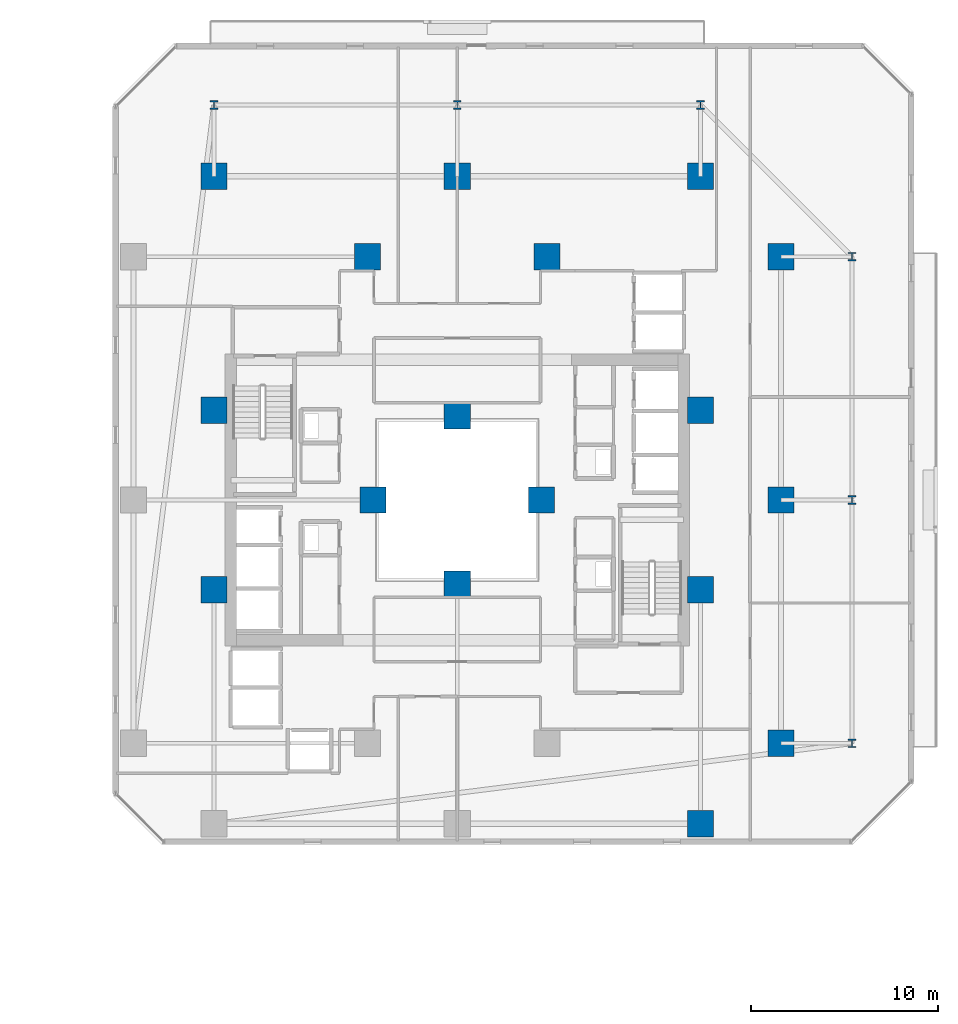
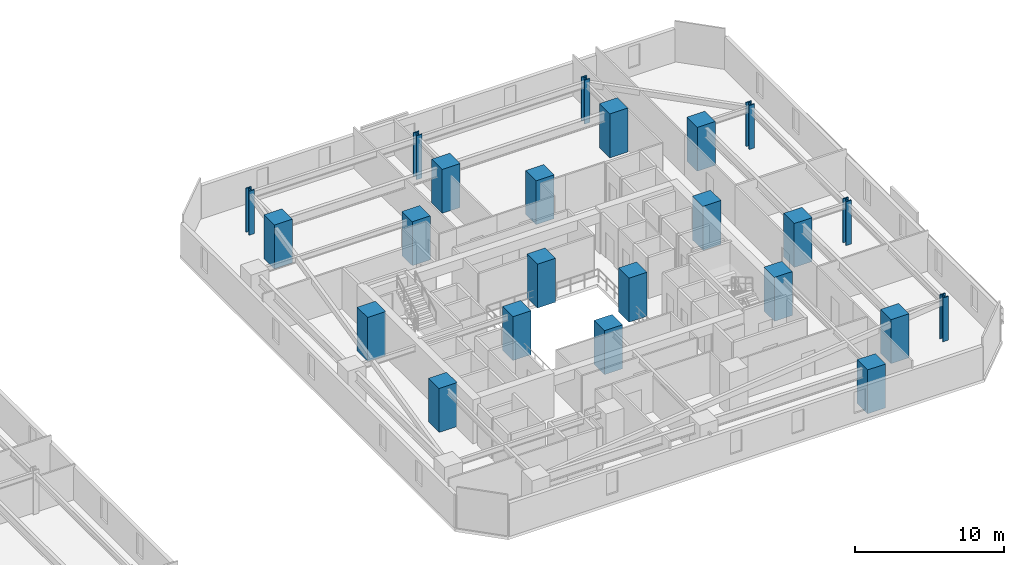
# One storey, part 2 of 34: 23 columns.
"""IFC4 building model written with IfcOpenShell, lengths in metres."""

import ifcopenshell
import ifcopenshell.guid

model = None  # the IFC model being written
_history = None  # IfcOwnerHistory: only IFC2X3 demands one
_inside = {}  # id of a spatial element -> (the spatial element, [elements in it])
_under = {}  # id of a project, library or spatial element -> (it, [spatial elements below it])
_declared = {}  # id of a project -> (the project, [libraries it declares])
_typed = {}  # id of a type object -> (the type object, [elements of that type])
_made_of = {}  # id of a material, layer set ... -> (it, [elements and type objects made of it])


def new_model(schema):
    """Start an empty IFC model of exactly this schema.

    Asked for "IFC4X3", IfcOpenShell would pick the latest addendum, in which some entities
    have other attributes; the version numbers below select the first issue.
    IFC2X3 requires an IfcOwnerHistory on every rooted entity: one is made here for all.
    """
    global model, _history
    if schema == "IFC4X3":
        model = ifcopenshell.file(schema_version=(4, 3, 0, 0))
    else:
        model = ifcopenshell.file(schema=schema)
    _inside.clear()
    _under.clear()
    _declared.clear()
    _typed.clear()
    _made_of.clear()
    _history = None
    if model.schema == "IFC2X3":
        org = make("IfcOrganization", Name="unknown")
        user = make(
            "IfcPersonAndOrganization",
            ThePerson=make("IfcPerson", FamilyName="unknown"),
            TheOrganization=org,
        )
        app = make(
            "IfcApplication",
            ApplicationDeveloper=org,
            Version="unknown",
            ApplicationFullName="unknown",
            ApplicationIdentifier="unknown",
        )
        _history = make(
            "IfcOwnerHistory",
            OwningUser=user,
            OwningApplication=app,
            ChangeAction="ADDED",
            CreationDate=0,
        )
    return model


def make(cls, **values):
    """One entity of the class cls with the attributes given. An attribute that is None is left unset."""
    return model.create_entity(
        cls, **{name: value for name, value in values.items() if value is not None}
    )


def rooted(cls, **values):
    """An entity with a GlobalId (a new one), such as an element, a storey or a relation."""
    return make(cls, GlobalId=ifcopenshell.guid.new(), OwnerHistory=_history, **values)


def si_unit(unit_type, name, prefix=None):
    """IfcSIUnit, for example si_unit("LENGTHUNIT", "METRE", prefix="MILLI")."""
    return make("IfcSIUnit", UnitType=unit_type, Prefix=prefix, Name=name)


def assignment(units):
    """IfcUnitAssignment: the units of a project."""
    return None if units is None else make("IfcUnitAssignment", Units=units)


def point(xyz):
    """IfcCartesianPoint."""
    return None if xyz is None else make("IfcCartesianPoint", Coordinates=xyz)


def direction(xyz):
    """IfcDirection."""
    return None if xyz is None else make("IfcDirection", DirectionRatios=xyz)


def frame(location, z_axis=None, x_axis=None):
    """IfcAxis2Placement3D, a coordinate frame: its origin and axes. An axis left out is left unset."""
    return make(
        "IfcAxis2Placement3D",
        Location=point(location),
        Axis=direction(z_axis),
        RefDirection=direction(x_axis),
    )


def frame_2d(location, x_axis=None):
    """IfcAxis2Placement2D, a coordinate frame in the plane: its origin and x axis."""
    return make(
        "IfcAxis2Placement2D", Location=point(location), RefDirection=direction(x_axis)
    )


def origin():
    """The frame at (0, 0, 0) with its axes left unset."""
    return frame((0.0, 0.0, 0.0))


def origin_2d():
    """The frame at (0, 0) in the plane with its x axis left unset."""
    return frame_2d((0.0, 0.0))


def place(relative_to, where):
    """IfcLocalPlacement: puts the frame where relative to a parent placement (None: the world)."""
    return make(
        "IfcLocalPlacement", PlacementRelTo=relative_to, RelativePlacement=where
    )


def context(
    kind, dimensions, precision=None, world=None, true_north=None, identifier=None
):
    """IfcGeometricRepresentationContext, for example the 3D "Model" context."""
    return make(
        "IfcGeometricRepresentationContext",
        ContextIdentifier=identifier,
        ContextType=kind,
        CoordinateSpaceDimension=dimensions,
        Precision=precision,
        WorldCoordinateSystem=world,
        TrueNorth=true_north,
    )


def subcontext(parent, identifier, kind, view, scale=None):
    """IfcGeometricRepresentationSubContext, for example "Body" below "Model"."""
    return make(
        "IfcGeometricRepresentationSubContext",
        ContextIdentifier=identifier,
        ContextType=kind,
        ParentContext=parent,
        TargetScale=scale,
        TargetView=view,
    )


def project(units=None, contexts=None):
    """IfcProject with its units and contexts."""
    return rooted(
        "IfcProject",
        Name="project",
        RepresentationContexts=contexts,
        UnitsInContext=assignment(units),
    )


def spatial(cls, under=None, at=None, **own):
    """A site, building, storey or space (cls), placed at a placement, below another one or the project."""
    s = rooted(cls, ObjectPlacement=at, **own)
    if under is not None:
        _under.setdefault(under.id(), (under, []))[1].append(s)
    return s


def profile(cls, at=None, kind="AREA", **sizes):
    """A parametric profile (cls). Its sizes go by their IFC names, for example OverallWidth=200.0."""
    return make(cls, ProfileType=kind, Position=at, **sizes)


def rectangle(**sizes):
    """IfcRectangleProfileDef."""
    return profile("IfcRectangleProfileDef", **sizes)


def i_section(**sizes):
    """IfcIShapeProfileDef."""
    return profile("IfcIShapeProfileDef", **sizes)


def extrude(swept, where, along, depth):
    """IfcExtrudedAreaSolid: the profile swept, set in the frame where, extruded along a direction by depth."""
    return make(
        "IfcExtrudedAreaSolid",
        SweptArea=swept,
        Position=where,
        ExtrudedDirection=direction(along),
        Depth=depth,
    )


def shape(context_of_items, identifier, shape_type, items):
    """IfcShapeRepresentation: the items that make up one representation, for example the "Body"."""
    return make(
        "IfcShapeRepresentation",
        ContextOfItems=context_of_items,
        RepresentationIdentifier=identifier,
        RepresentationType=shape_type,
        Items=items,
    )


def material(Name=None, Category=None):
    """IfcMaterial."""
    return make("IfcMaterial", Name=Name, Category=Category)


def material_profile(
    of_material, cross_section, Name=None, Category=None, Priority=None
):
    """IfcMaterialProfile: a cross section and its material."""
    return make(
        "IfcMaterialProfile",
        Name=Name,
        Material=of_material,
        Profile=cross_section,
        Priority=Priority,
        Category=Category,
    )


def profile_set(profiles, Name=None, composite=None):
    """IfcMaterialProfileSet."""
    return make(
        "IfcMaterialProfileSet",
        Name=Name,
        MaterialProfiles=profiles,
        CompositeProfile=composite,
    )


def made_of(thing, what):
    """Note that an element or type object is made of a material, layer set ...; save() writes the relation."""
    if what is not None:
        _made_of.setdefault(what.id(), (what, []))[1].append(thing)
    return thing


def type_object(cls, material=None, **own):
    """A type object (cls), such as IfcWallType, which elements share."""
    return made_of(rooted(cls, **own), material)


def element(
    cls,
    number,
    at=None,
    inside=None,
    cuts=None,
    type_object=None,
    material=None,
    context=None,
    identifier="Body",
    shape_type=None,
    held_by="IfcProductDefinitionShape",
    body=None,
    shapes=None,
    **own,
):
    """One element of the class cls, such as IfcWall. Its Tag is "e" and its number.

    at: its placement. inside: the storey or other place that contains it. cuts: it is an
    opening in that element (IfcRelVoidsElement). A single representation is given by context,
    identifier, shape_type and body (its items); several are given by shapes. held_by: the class
    of the entity that holds the representations. save() writes the other relations.
    """
    e = rooted(cls, Tag="e%d" % number, ObjectPlacement=at, **own)
    if body is not None:
        shapes = [shape(context, identifier, shape_type, body)]
    if shapes is not None:
        e.Representation = make(held_by, Representations=shapes)
    if inside is not None:
        _inside.setdefault(inside.id(), (inside, []))[1].append(e)
    if cuts is not None:
        rooted(
            "IfcRelVoidsElement", RelatingBuildingElement=cuts, RelatedOpeningElement=e
        )
    if type_object is not None:
        _typed.setdefault(type_object.id(), (type_object, []))[1].append(e)
    return made_of(e, material)


def aggregate(whole, parts):
    """IfcRelAggregates: a whole, such as a stair, and the parts it consists of."""
    return rooted("IfcRelAggregates", RelatingObject=whole, RelatedObjects=parts)


def save(model, path):
    """Write the relations noted so far, then the file.

    IfcRelAggregates (storeys below a building ...), IfcRelContainedInSpatialStructure (elements
    in a storey), IfcRelDefinesByType, IfcRelAssociatesMaterial and IfcRelDeclares: one each for
    every whole, place, type object, material and project.
    """
    for whole, parts in _under.values():
        aggregate(whole, parts)
    for where, things in _inside.values():
        rooted(
            "IfcRelContainedInSpatialStructure",
            RelatedElements=things,
            RelatingStructure=where,
        )
    for kind, things in _typed.values():
        rooted("IfcRelDefinesByType", RelatedObjects=things, RelatingType=kind)
    for what, things in _made_of.values():
        rooted("IfcRelAssociatesMaterial", RelatedObjects=things, RelatingMaterial=what)
    for by, libraries in _declared.values():
        rooted("IfcRelDeclares", RelatingContext=by, RelatedDefinitions=libraries)
    model.write(path)


model = new_model("IFC4")

# Units and contexts
model_context = context("Model", 3, precision=1e-05, world=origin(), true_north=direction((0.0, 1.0)))
body_context = subcontext(model_context, "Body", "Model", "MODEL_VIEW")
ifc_project = project(units=[si_unit("LENGTHUNIT", "METRE"), si_unit("AREAUNIT", "SQUARE_METRE"), si_unit("VOLUMEUNIT", "CUBIC_METRE"), si_unit("PLANEANGLEUNIT", "RADIAN"), si_unit("MASSUNIT", "GRAM", prefix="KILO")], contexts=[model_context])

# Site, building, storey
site_placement = place(None, origin())
site = spatial("IfcSite", under=ifc_project, at=site_placement, CompositionType="ELEMENT")
building_placement = place(site_placement, origin())
building = spatial("IfcBuilding", under=site, at=building_placement, Name="Thornwick Lancets Civic Towers", CompositionType="ELEMENT")
storey_placement = place(building_placement, frame((0.0, 0.0, 60.89990234375)))
storey = spatial("IfcBuildingStorey", under=building, at=storey_placement, Name="L15", CompositionType="ELEMENT", Elevation=60.89990234375)

# Columns
ifc_material_1 = material(Name="Concrete C60/75", Category="concrete")
ifc_material_profile_1 = material_profile(ifc_material_1, rectangle(XDim=1.39990234375, YDim=1.39990234375, at=origin_2d()), Name="RC 1400x1400")
ifc_profile_set_1 = profile_set([ifc_material_profile_1], Name="Concrete C60/75")
column_type_1 = type_object("IfcColumnType", Name="COL_RC_1400", PredefinedType="COLUMN", material=ifc_profile_set_1)
for number, where, z_axis, x_axis, name in (
    (1, (105.800048828125, 14.0, 0.0), (0.0, 0.0, 1.0), (1.0, 0.0, 0.0), "L15 Spine Mega-Column B01"),
    (2, (105.800048828125, 27.0, 0.0), (0.0, 0.0, 1.0), (1.0, 0.0, 0.0), "L15 Spine Mega-Column B02"),
    (3, (105.800048828125, 40.0, 0.0), (0.0, 0.0, 1.0), (1.0, 0.0, 0.0), "L15 Spine Mega-Column B03"),
    (4, (101.5, 44.300048828125, 0.0), (0.0, 0.0, 1.0), (1.0, 0.0, 0.0), "L15 Spine Mega-Column B04"),
    (5, (88.5, 44.300048828125, 0.0), (0.0, 0.0, 1.0), (1.0, 0.0, 0.0), "L15 Spine Mega-Column B05"),
    (6, (75.5, 44.300048828125, 0.0), (0.0, 0.0, 1.0), (1.0, 0.0, 0.0), "L15 Spine Mega-Column B06"),
    (7, (101.5, 9.699951171875, 0.0), (0.0, 0.0, 1.0), (1.0, 0.0, 0.0), "L15 Spine Mega-Column B10"),
    (8, (93.300048828125, 40.0, 0.0), (0.0, 0.0, 1.0), (1.0, 0.0, 0.0), "L15 Spine Mega-Column B14"),
    (9, (83.699951171875, 40.0, 0.0), (0.0, 0.0, 1.0), (1.0, 0.0, 0.0), "L15 Spine Mega-Column B16"),
    (10, (101.5, 22.199951171875, 0.0), (0.0, 0.0, 1.0), (1.0, 0.0, 0.0), "L15 Spine Mega-Column B17"),
    (11, (101.5, 31.800048828125, 0.0), (0.0, 0.0, 1.0), (1.0, 0.0, 0.0), "L15 Spine Mega-Column B18"),
    (12, (75.5, 22.199951171875, 0.0), (0.0, 0.0, 1.0), (1.0, 0.0, 0.0), "L15 Spine Mega-Column B19"),
    (13, (75.5, 31.800048828125, 0.0), (0.0, 0.0, 1.0), (1.0, 0.0, 0.0), "L15 Spine Mega-Column B20"),
    (14, (93.0, 27.0, 0.0), (0.0, 0.0, 1.0), (1.0, 0.0, 0.0), "L15 Spine Mega-Column B21"),
    (15, (84.0, 27.0, 0.0), (0.0, 0.0, 1.0), (1.0, 0.0, 0.0), "L15 Spine Mega-Column B22"),
    (16, (88.5, 22.5, 0.0), (0.0, 0.0, 1.0), (1.0, 0.0, 0.0), "L15 Spine Mega-Column B23"),
    (17, (88.5, 31.5, 0.0), (0.0, 0.0, 1.0), (1.0, 0.0, 0.0), "L15 Spine Mega-Column B24"),
):
    element("IfcColumn", number, at=place(storey_placement, frame(where, z_axis=z_axis, x_axis=x_axis)), inside=storey, type_object=column_type_1, Name=name, PredefinedType="COLUMN", context=body_context, shape_type="SweptSolid", body=[
        extrude(rectangle(XDim=1.39990234375, YDim=1.39990234375, at=origin_2d()), origin(), (0.0, 0.0, 1.0), 3.60009765625),
    ])
ifc_material_2 = material(Name="Steel S460M", Category="steel")
ifc_material_profile_2 = material_profile(ifc_material_2, i_section(OverallWidth=0.424072265625, OverallDepth=0.474609375, WebThickness=0.047607421875, FlangeThickness=0.076904296875, FilletRadius=0.01513671875, at=origin_2d()), Name="UKC 356x406x634")
ifc_profile_set_2 = profile_set([ifc_material_profile_2], Name="Steel S460M")
column_type_2 = type_object("IfcColumnType", Name="COL_UKC_634", PredefinedType="COLUMN", material=ifc_profile_set_2)
for number, where, z_axis, x_axis, name in (
    (18, (109.60009765625, 14.0, 0.0), (0.0, 0.0, 1.0), (1.0, 0.0, 0.0), "L15 Block Perimeter Column B01"),
    (19, (109.60009765625, 27.0, 0.0), (0.0, 0.0, 1.0), (1.0, 0.0, 0.0), "L15 Block Perimeter Column B02"),
    (20, (109.60009765625, 40.0, 0.0), (0.0, 0.0, 1.0), (1.0, 0.0, 0.0), "L15 Block Perimeter Column B03"),
    (21, (101.5, 48.10009765625, 0.0), (0.0, 0.0, 1.0), (1.0, 0.0, 0.0), "L15 Block Perimeter Column B04"),
    (22, (88.5, 48.10009765625, 0.0), (0.0, 0.0, 1.0), (1.0, 0.0, 0.0), "L15 Block Perimeter Column B05"),
    (23, (75.5, 48.10009765625, 0.0), (0.0, 0.0, 1.0), (1.0, 0.0, 0.0), "L15 Block Perimeter Column B06"),
):
    element("IfcColumn", number, at=place(storey_placement, frame(where, z_axis=z_axis, x_axis=x_axis)), inside=storey, type_object=column_type_2, Name=name, PredefinedType="COLUMN", context=body_context, shape_type="SweptSolid", body=[
        extrude(i_section(OverallWidth=0.424072265625, OverallDepth=0.474609375, WebThickness=0.047607421875, FlangeThickness=0.076904296875, FilletRadius=0.01513671875, at=origin_2d()), origin(), (0.0, 0.0, 1.0), 3.60009765625),
    ])

save(model, "model.ifc")
